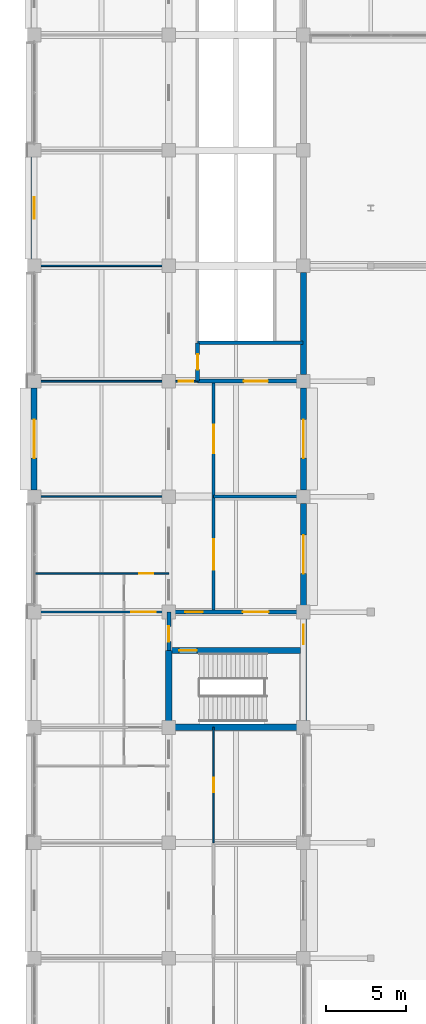
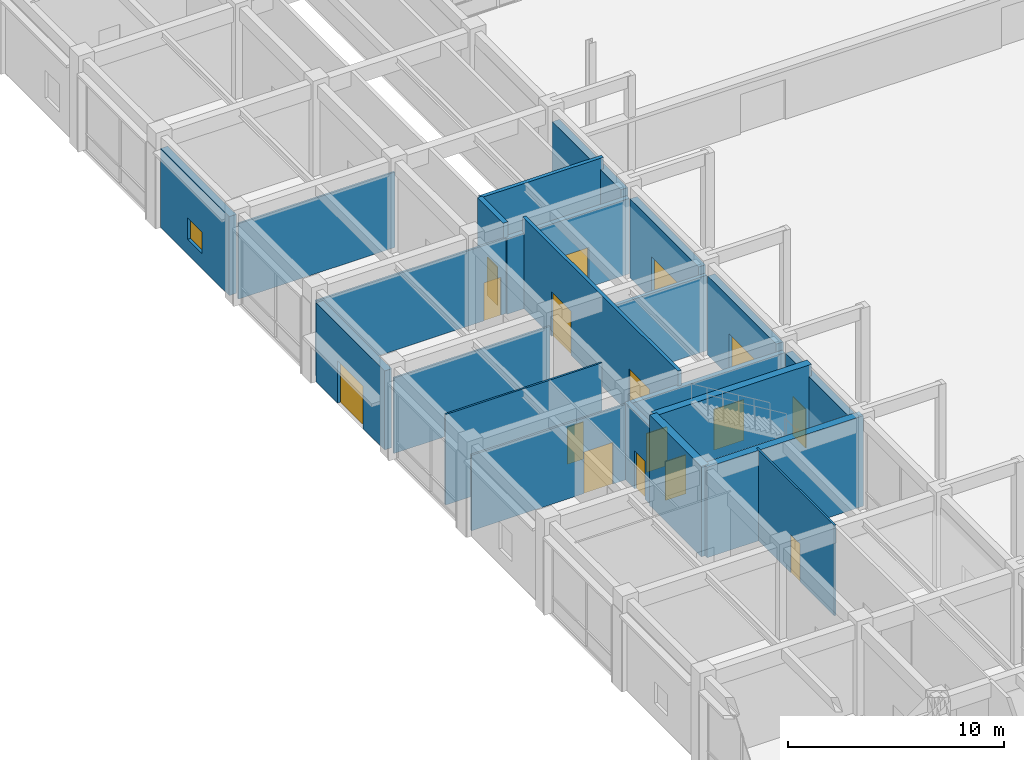
# One storey, part 39 of 73: 22 walls, 16 doors, 1 window, 17 openings.
"""IFC4 building model written with IfcOpenShell, lengths in metres."""

from ifc_helpers import new_model, si_unit, direction, frame, frame_2d, origin, place, context, subcontext, project, spatial, rectangle, extrude, material, layer, layer_set, type_object, element, fill, save


model = new_model("IFC4")

# Units and contexts
model_context = context("Model", 3, precision=1e-05, world=origin(), true_north=direction((0.0, 1.0)))
body_context = subcontext(model_context, "Body", "Model", "MODEL_VIEW")
ifc_project = project(units=[si_unit("LENGTHUNIT", "METRE"), si_unit("AREAUNIT", "SQUARE_METRE"), si_unit("VOLUMEUNIT", "CUBIC_METRE"), si_unit("PLANEANGLEUNIT", "RADIAN"), si_unit("MASSUNIT", "GRAM", prefix="KILO")], contexts=[model_context])

# Site, building, storey
site_placement = place(None, origin())
site = spatial("IfcSite", under=ifc_project, at=site_placement, CompositionType="ELEMENT")
building_placement = place(site_placement, origin())
building = spatial("IfcBuilding", under=site, at=building_placement, Name="Chengyuan Square Courthouse", CompositionType="ELEMENT")
storey_placement = place(building_placement, origin())
storey = spatial("IfcBuildingStorey", under=building, at=storey_placement, Name="L01", CompositionType="ELEMENT", Elevation=0.0)

# Wall, opening, door
ifc_material_1 = material(Name="Concrete C40", Category="concrete")
ifc_layer_1 = layer(ifc_material_1, 0.3798828125)
ifc_layer_set_1 = layer_set([ifc_layer_1], Name="Concrete C40")
wall_type_1 = type_object("IfcWallType", Name="WL-EW1", PredefinedType="STANDARD", material=ifc_layer_set_1)
wall_1_placement = place(storey_placement, frame((0.0, 50.820068359375, 0.0), z_axis=(0.0, 0.0, 1.0), x_axis=(0.0, 1.0, 0.0)))
wall_1 = element("IfcWall", 1, at=wall_1_placement, inside=storey, type_object=wall_type_1, Name="Exterior Wall WL-L01-E148", PredefinedType="STANDARD", context=body_context, shape_type="SweptSolid", body=[
    extrude(rectangle(XDim=6.35986328125, YDim=0.3798828125, at=frame_2d((3.179931640625, 0.0))), origin(), (0.0, 0.0, 1.0), 4.469970703125),
])
opening_1_placement = place(wall_1_placement, frame((1.97998046875, 0.0, 0.0)))
opening_1 = element("IfcOpeningElement", 2, at=opening_1_placement, cuts=wall_1, Name="Opening E-18", PredefinedType="OPENING", context=body_context, shape_type="SweptSolid", body=[
    extrude(rectangle(XDim=2.39990234375, YDim=2.39990234375, at=frame_2d((1.199951171875, 1.199951171875))), frame((0.0, 0.201904296875, 0.0), z_axis=(0.0, -1.0, 0.0), x_axis=(1.0, 0.0, 0.0)), (0.0, 0.0, 1.0), 0.40380859375),
])
ifc_material_2 = material(Name="Glazed Bronze Civic Entrance Door")
door_type_1 = type_object("IfcDoorType", Name="DT-01", OperationType="DOUBLE_DOOR_SINGLE_SWING", PredefinedType="DOOR", material=ifc_material_2)
door_1_placement = place(opening_1_placement, origin())
door_1 = element("IfcDoor", 3, at=door_1_placement, inside=storey, type_object=door_type_1, Name="Main Pedestrian Entrance Exit Door E-18", OperationType="DOUBLE_DOOR_SINGLE_SWING", OverallHeight=2.39990234375, OverallWidth=2.39990234375, PredefinedType="DOOR", context=body_context, shape_type="SweptSolid", body=[
    extrude(rectangle(XDim=2.39990234375, YDim=2.39990234375, at=frame_2d((1.199951171875, 1.199951171875))), frame((0.0, 0.02490234375, 0.0), z_axis=(0.0, -1.0, 0.0), x_axis=(1.0, 0.0, 0.0)), (0.0, 0.0, 1.0), 0.050048828125),
])
fill(opening_1, door_1)

# Wall, opening, window
wall_2_placement = place(storey_placement, frame((0.0, 65.219970703125, 0.0), z_axis=(0.0, 0.0, 1.0), x_axis=(0.0, 1.0, 0.0)))
wall_2 = element("IfcWall", 4, at=wall_2_placement, inside=storey, type_object=wall_type_1, Name="Exterior Wall WL-L01-E149", PredefinedType="STANDARD", context=body_context, shape_type="SweptSolid", body=[
    extrude(rectangle(XDim=6.360107421875, YDim=0.3798828125, at=frame_2d((3.18017578125, 0.0))), origin(), (0.0, 0.0, 1.0), 4.469970703125),
])
opening_2_placement = place(wall_2_placement, frame((2.5048828125, 0.0, 0.85009765625)))
opening_2 = element("IfcOpeningElement", 5, at=opening_2_placement, cuts=wall_2, Name="Opening WN-003", PredefinedType="OPENING", context=body_context, shape_type="SweptSolid", body=[
    extrude(rectangle(XDim=1.35009765625, YDim=1.199951171875, at=frame_2d((0.675048828125, 0.60009765625))), frame((0.0, 0.201904296875, 0.0), z_axis=(0.0, -1.0, 0.0), x_axis=(1.0, 0.0, 0.0)), (0.0, 0.0, 1.0), 0.40380859375),
])
ifc_material_3 = material(Name="Thermally Broken Aluminium Triple Low-E Window", Category="aluminium")
window_type = type_object("IfcWindowType", Name="WT-19", PartitioningType="SINGLE_PANEL", PredefinedType="WINDOW", material=ifc_material_3)
window_placement = place(opening_2_placement, origin())
window = element("IfcWindow", 6, at=window_placement, inside=storey, type_object=window_type, Name="Facade Window WN-003", OverallHeight=1.199951171875, OverallWidth=1.35009765625, PartitioningType="SINGLE_PANEL", PredefinedType="WINDOW", context=body_context, shape_type="SweptSolid", body=[
    extrude(rectangle(XDim=1.35009765625, YDim=1.199951171875, at=frame_2d((0.675048828125, 0.60009765625))), frame((0.0, 0.030029296875, 0.0), z_axis=(0.0, -1.0, 0.0), x_axis=(1.0, 0.0, 0.0)), (0.0, 0.0, 1.0), 0.06005859375),
])
fill(opening_2, window)

# Wall, opening, door
wall_3_placement = place(storey_placement, frame((16.800048828125, 36.419921875, 0.0), z_axis=(0.0, 0.0, 1.0), x_axis=(0.0, 1.0, 0.0)))
wall_3 = element("IfcWall", 7, at=wall_3_placement, inside=storey, type_object=wall_type_1, Name="Exterior Wall WL-L01-E155", PredefinedType="STANDARD", context=body_context, shape_type="SweptSolid", body=[
    extrude(rectangle(XDim=6.360107421875, YDim=0.3798828125, at=frame_2d((3.18017578125, 0.0))), origin(), (0.0, 0.0, 1.0), 4.469970703125),
])
opening_3_placement = place(wall_3_placement, frame((4.780029296875, 0.0, 0.0)))
opening_3 = element("IfcOpeningElement", 8, at=opening_3_placement, cuts=wall_3, Name="Opening E-21", PredefinedType="OPENING", context=body_context, shape_type="SweptSolid", body=[
    extrude(rectangle(XDim=1.199951171875, YDim=2.199951171875, at=frame_2d((0.60009765625, 1.10009765625))), frame((0.0, 0.201904296875, 0.0), z_axis=(0.0, -1.0, 0.0), x_axis=(1.0, 0.0, 0.0)), (0.0, 0.0, 1.0), 0.40380859375),
])
ifc_material_4 = material(Name="Steel Q235B Fire Exit Door", Category="steel")
door_type_2 = type_object("IfcDoorType", Name="DT-03", OperationType="NOTDEFINED", PredefinedType="DOOR", material=ifc_material_4)
door_2_placement = place(opening_3_placement, frame((1.199951171875, 0.0, 0.0), z_axis=(0.0, 0.0, 1.0), x_axis=(-1.0, 0.0, 0.0)))
door_2 = element("IfcDoor", 9, at=door_2_placement, inside=storey, type_object=door_type_2, Name="Protected Stair Exit Discharge Door E-21", OperationType="SINGLE_SWING_RIGHT", OverallHeight=2.199951171875, OverallWidth=1.199951171875, PredefinedType="DOOR", context=body_context, shape_type="SweptSolid", body=[
    extrude(rectangle(XDim=1.199951171875, YDim=2.199951171875, at=frame_2d((0.60009765625, 1.10009765625))), frame((0.0, 0.02490234375, 0.0), z_axis=(0.0, -1.0, 0.0), x_axis=(1.0, 0.0, 0.0)), (0.0, 0.0, 1.0), 0.050048828125),
])
fill(opening_3, door_2)

wall_4_placement = place(storey_placement, frame((16.800048828125, 43.6201171875, 0.0), z_axis=(0.0, 0.0, 1.0), x_axis=(0.0, 1.0, 0.0)))
wall_4 = element("IfcWall", 10, at=wall_4_placement, inside=storey, type_object=wall_type_1, Name="Exterior Wall WL-L01-E156", PredefinedType="STANDARD", context=body_context, shape_type="SweptSolid", body=[
    extrude(rectangle(XDim=6.35986328125, YDim=0.3798828125, at=frame_2d((3.179931640625, 0.0))), origin(), (0.0, 0.0, 1.0), 4.469970703125),
])
opening_4_placement = place(wall_4_placement, frame((1.97998046875, 0.0, 0.0)))
opening_4 = element("IfcOpeningElement", 11, at=opening_4_placement, cuts=wall_4, Name="Opening E-03", PredefinedType="OPENING", context=body_context, shape_type="SweptSolid", body=[
    extrude(rectangle(XDim=2.39990234375, YDim=2.39990234375, at=frame_2d((1.199951171875, 1.199951171875))), frame((0.0, 0.201904296875, 0.0), z_axis=(0.0, -1.0, 0.0), x_axis=(1.0, 0.0, 0.0)), (0.0, 0.0, 1.0), 0.40380859375),
])
door_3_placement = place(opening_4_placement, frame((2.39990234375, 0.0, 0.0), z_axis=(0.0, 0.0, 1.0), x_axis=(-1.0, 0.0, 0.0)))
door_3 = element("IfcDoor", 12, at=door_3_placement, inside=storey, type_object=door_type_1, Name="Main Pedestrian Entrance Exit Door E-03", OperationType="DOUBLE_DOOR_SINGLE_SWING", OverallHeight=2.39990234375, OverallWidth=2.39990234375, PredefinedType="DOOR", context=body_context, shape_type="SweptSolid", body=[
    extrude(rectangle(XDim=2.39990234375, YDim=2.39990234375, at=frame_2d((1.199951171875, 1.199951171875))), frame((0.0, 0.02490234375, 0.0), z_axis=(0.0, -1.0, 0.0), x_axis=(1.0, 0.0, 0.0)), (0.0, 0.0, 1.0), 0.050048828125),
])
fill(opening_4, door_3)

wall_5_placement = place(storey_placement, frame((16.800048828125, 50.820068359375, 0.0), z_axis=(0.0, 0.0, 1.0), x_axis=(0.0, 1.0, 0.0)))
wall_5 = element("IfcWall", 13, at=wall_5_placement, inside=storey, type_object=wall_type_1, Name="Exterior Wall WL-L01-E157", PredefinedType="STANDARD", context=body_context, shape_type="SweptSolid", body=[
    extrude(rectangle(XDim=6.35986328125, YDim=0.3798828125, at=frame_2d((3.179931640625, 0.0))), origin(), (0.0, 0.0, 1.0), 4.469970703125),
])
opening_5_placement = place(wall_5_placement, frame((1.97998046875, 0.0, 0.0)))
opening_5 = element("IfcOpeningElement", 14, at=opening_5_placement, cuts=wall_5, Name="Opening E-04", PredefinedType="OPENING", context=body_context, shape_type="SweptSolid", body=[
    extrude(rectangle(XDim=2.39990234375, YDim=2.39990234375, at=frame_2d((1.199951171875, 1.199951171875))), frame((0.0, 0.201904296875, 0.0), z_axis=(0.0, -1.0, 0.0), x_axis=(1.0, 0.0, 0.0)), (0.0, 0.0, 1.0), 0.40380859375),
])
door_4_placement = place(opening_5_placement, frame((2.39990234375, 0.0, 0.0), z_axis=(0.0, 0.0, 1.0), x_axis=(-1.0, 0.0, 0.0)))
door_4 = element("IfcDoor", 15, at=door_4_placement, inside=storey, type_object=door_type_1, Name="Main Pedestrian Entrance Exit Door E-04", OperationType="DOUBLE_DOOR_SINGLE_SWING", OverallHeight=2.39990234375, OverallWidth=2.39990234375, PredefinedType="DOOR", context=body_context, shape_type="SweptSolid", body=[
    extrude(rectangle(XDim=2.39990234375, YDim=2.39990234375, at=frame_2d((1.199951171875, 1.199951171875))), frame((0.0, 0.02490234375, 0.0), z_axis=(0.0, -1.0, 0.0), x_axis=(1.0, 0.0, 0.0)), (0.0, 0.0, 1.0), 0.050048828125),
])
fill(opening_5, door_4)

# Wall
wall_6_placement = place(storey_placement, frame((16.800048828125, 58.02001953125, 0.0), z_axis=(0.0, 0.0, 1.0), x_axis=(0.0, 1.0, 0.0)))
element("IfcWall", 16, at=wall_6_placement, inside=storey, type_object=wall_type_1, Name="Exterior Wall WL-L01-E158", PredefinedType="STANDARD", context=body_context, shape_type="SweptSolid", body=[
    extrude(rectangle(XDim=6.35986328125, YDim=0.3798828125, at=frame_2d((3.179931640625, 0.0))), origin(), (0.0, 0.0, 1.0), 4.469970703125),
])

# Wall, openings, doors
ifc_layer_2 = layer(ifc_material_1, 0.25)
ifc_layer_set_2 = layer_set([ifc_layer_2], Name="Concrete C40")
wall_type_2 = type_object("IfcWallType", Name="WL-FW1", PredefinedType="STANDARD", material=ifc_layer_set_2)
wall_7_placement = place(storey_placement, frame((8.39990234375, 43.199951171875, 0.0), z_axis=(0.0, 0.0, 1.0), x_axis=(1.0, 0.0, 0.0)))
wall_7 = element("IfcWall", 17, at=wall_7_placement, inside=storey, type_object=wall_type_2, Name="Interior Wall WL-L01-I647", PredefinedType="STANDARD", context=body_context, shape_type="SweptSolid", body=[
    extrude(rectangle(XDim=8.360107421875, YDim=0.25, at=frame_2d((4.18017578125, 0.0))), origin(), (0.0, 0.0, 1.0), 4.27001953125),
])
opening_6_placement = place(wall_7_placement, frame((1.0224609375, 0.0, 0.0)))
opening_6 = element("IfcOpeningElement", 18, at=opening_6_placement, cuts=wall_7, Name="Opening DR-686", PredefinedType="OPENING", context=body_context, shape_type="SweptSolid", body=[
    extrude(rectangle(XDim=1.10009765625, YDim=2.199951171875, at=frame_2d((0.550048828125, 1.10009765625))), frame((0.0, 0.136962890625, 0.0), z_axis=(0.0, -1.0, 0.0), x_axis=(1.0, 0.0, 0.0)), (0.0, 0.0, 1.0), 0.27392578125),
])
opening_7_placement = place(wall_7_placement, frame((4.62744140625, 0.0, 0.0)))
opening_7 = element("IfcOpeningElement", 19, at=opening_7_placement, cuts=wall_7, Name="Opening DR-687", PredefinedType="OPENING", context=body_context, shape_type="SweptSolid", body=[
    extrude(rectangle(XDim=1.60009765625, YDim=2.300048828125, at=frame_2d((0.800048828125, 1.14990234375))), frame((0.0, 0.136962890625, 0.0), z_axis=(0.0, -1.0, 0.0), x_axis=(1.0, 0.0, 0.0)), (0.0, 0.0, 1.0), 0.27392578125),
])
ifc_material_5 = material(Name="Steel Q235B Fire Door", Category="steel")
door_type_3 = type_object("IfcDoorType", Name="DT-10", OperationType="NOTDEFINED", PredefinedType="DOOR", material=ifc_material_5)
door_5_placement = place(opening_6_placement, origin())
door_5 = element("IfcDoor", 20, at=door_5_placement, inside=storey, type_object=door_type_3, Name="Interior Door DR-686", OperationType="SINGLE_SWING_LEFT", OverallHeight=2.199951171875, OverallWidth=1.10009765625, PredefinedType="DOOR", context=body_context, shape_type="SweptSolid", body=[
    extrude(rectangle(XDim=1.10009765625, YDim=2.199951171875, at=frame_2d((0.550048828125, 1.10009765625))), frame((0.0, 0.02490234375, 0.0), z_axis=(0.0, -1.0, 0.0), x_axis=(1.0, 0.0, 0.0)), (0.0, 0.0, 1.0), 0.050048828125),
])
fill(opening_6, door_5)
ifc_material_6 = material(Name="Steel Q235B Glazed Fire Door", Category="steel")
door_type_4 = type_object("IfcDoorType", Name="DT-17", OperationType="DOUBLE_DOOR_SINGLE_SWING", PredefinedType="DOOR", material=ifc_material_6)
door_6_placement = place(opening_7_placement, frame((1.60009765625, 0.0, 0.0), z_axis=(0.0, 0.0, 1.0), x_axis=(-1.0, 0.0, 0.0)))
door_6 = element("IfcDoor", 21, at=door_6_placement, inside=storey, type_object=door_type_4, Name="Interior Door DR-687", OperationType="DOUBLE_DOOR_SINGLE_SWING", OverallHeight=2.300048828125, OverallWidth=1.60009765625, PredefinedType="DOOR", context=body_context, shape_type="SweptSolid", body=[
    extrude(rectangle(XDim=1.60009765625, YDim=2.300048828125, at=frame_2d((0.800048828125, 1.14990234375))), frame((0.0, 0.02490234375, 0.0), z_axis=(0.0, -1.0, 0.0), x_axis=(1.0, 0.0, 0.0)), (0.0, 0.0, 1.0), 0.050048828125),
])
fill(opening_7, door_6)

# Wall, opening, door
wall_8_placement = place(storey_placement, frame((10.199951171875, 57.60009765625, 0.0), z_axis=(0.0, 0.0, 1.0), x_axis=(1.0, 0.0, 0.0)))
wall_8 = element("IfcWall", 22, at=wall_8_placement, inside=storey, type_object=wall_type_2, Name="Interior Wall WL-L01-I657", PredefinedType="STANDARD", context=body_context, shape_type="SweptSolid", body=[
    extrude(rectangle(XDim=6.56005859375, YDim=0.25, at=frame_2d((3.280029296875, 0.0))), origin(), (0.0, 0.0, 1.0), 4.27001953125),
])
opening_8_placement = place(wall_8_placement, frame((2.87744140625, 0.0, 0.0)))
opening_8 = element("IfcOpeningElement", 23, at=opening_8_placement, cuts=wall_8, Name="Opening DR-709", PredefinedType="OPENING", context=body_context, shape_type="SweptSolid", body=[
    extrude(rectangle(XDim=1.5, YDim=2.25, at=frame_2d((0.75, 1.125))), frame((0.0, 0.136962890625, 0.0), z_axis=(0.0, -1.0, 0.0), x_axis=(1.0, 0.0, 0.0)), (0.0, 0.0, 1.0), 0.27392578125),
])
door_type_5 = type_object("IfcDoorType", Name="DT-19", OperationType="DOUBLE_DOOR_SINGLE_SWING", PredefinedType="DOOR", material=ifc_material_6)
door_7_placement = place(opening_8_placement, frame((1.5, 0.0, 0.0), z_axis=(0.0, 0.0, 1.0), x_axis=(-1.0, 0.0, 0.0)))
door_7 = element("IfcDoor", 24, at=door_7_placement, inside=storey, type_object=door_type_5, Name="Interior Door DR-709", OperationType="DOUBLE_DOOR_SINGLE_SWING", OverallHeight=2.25, OverallWidth=1.5, PredefinedType="DOOR", context=body_context, shape_type="SweptSolid", body=[
    extrude(rectangle(XDim=1.5, YDim=2.25, at=frame_2d((0.75, 1.125))), frame((0.0, 0.02490234375, 0.0), z_axis=(0.0, -1.0, 0.0), x_axis=(1.0, 0.0, 0.0)), (0.0, 0.0, 1.0), 0.050048828125),
])
fill(opening_8, door_7)

wall_9_placement = place(storey_placement, frame((8.39990234375, 40.800048828125, 0.0), z_axis=(0.0, 0.0, 1.0), x_axis=(0.0, 1.0, 0.0)))
wall_9 = element("IfcWall", 25, at=wall_9_placement, inside=storey, type_object=wall_type_2, Name="Interior Wall WL-L01-I827", PredefinedType="STANDARD", context=body_context, shape_type="SweptSolid", body=[
    extrude(rectangle(XDim=2.39990234375, YDim=0.25, at=frame_2d((1.199951171875, 0.0))), origin(), (0.0, 0.0, 1.0), 4.3701171875),
])
opening_9_placement = place(wall_9_placement, frame((0.552490234375, 0.0, 0.0)))
opening_9 = element("IfcOpeningElement", 26, at=opening_9_placement, cuts=wall_9, Name="Opening DR-688", PredefinedType="OPENING", context=body_context, shape_type="SweptSolid", body=[
    extrude(rectangle(XDim=0.949951171875, YDim=2.14990234375, at=frame_2d((0.47509765625, 1.074951171875))), frame((0.0, 0.136962890625, 0.0), z_axis=(0.0, -1.0, 0.0), x_axis=(1.0, 0.0, 0.0)), (0.0, 0.0, 1.0), 0.27392578125),
])
door_type_6 = type_object("IfcDoorType", Name="DT-12", OperationType="NOTDEFINED", PredefinedType="DOOR", material=ifc_material_5)
door_8_placement = place(opening_9_placement, origin())
door_8 = element("IfcDoor", 27, at=door_8_placement, inside=storey, type_object=door_type_6, Name="Interior Door DR-688", OperationType="SINGLE_SWING_RIGHT", OverallHeight=2.14990234375, OverallWidth=0.949951171875, PredefinedType="DOOR", context=body_context, shape_type="SweptSolid", body=[
    extrude(rectangle(XDim=0.949951171875, YDim=2.14990234375, at=frame_2d((0.47509765625, 1.074951171875))), frame((0.0, 0.02490234375, 0.0), z_axis=(0.0, -1.0, 0.0), x_axis=(1.0, 0.0, 0.0)), (0.0, 0.0, 1.0), 0.050048828125),
])
fill(opening_9, door_8)

wall_10_placement = place(storey_placement, frame((10.199951171875, 57.60009765625, 0.0), z_axis=(0.0, 0.0, 1.0), x_axis=(0.0, 1.0, 0.0)))
wall_10 = element("IfcWall", 28, at=wall_10_placement, inside=storey, type_object=wall_type_2, Name="Interior Wall WL-L01-I831", PredefinedType="STANDARD", context=body_context, shape_type="SweptSolid", body=[
    extrude(rectangle(XDim=2.39990234375, YDim=0.25, at=frame_2d((1.199951171875, 0.0))), origin(), (0.0, 0.0, 1.0), 5.1201171875),
])
opening_10_placement = place(wall_10_placement, frame((0.72509765625, 0.0, 0.0)))
opening_10 = element("IfcOpeningElement", 29, at=opening_10_placement, cuts=wall_10, Name="Opening DR-697", PredefinedType="OPENING", context=body_context, shape_type="SweptSolid", body=[
    extrude(rectangle(XDim=0.949951171875, YDim=2.14990234375, at=frame_2d((0.47509765625, 1.074951171875))), frame((0.0, 0.136962890625, 0.0), z_axis=(0.0, -1.0, 0.0), x_axis=(1.0, 0.0, 0.0)), (0.0, 0.0, 1.0), 0.27392578125),
])
door_9_placement = place(opening_10_placement, origin())
door_9 = element("IfcDoor", 30, at=door_9_placement, inside=storey, type_object=door_type_6, Name="Interior Door DR-697", OperationType="SINGLE_SWING_RIGHT", OverallHeight=2.14990234375, OverallWidth=0.949951171875, PredefinedType="DOOR", context=body_context, shape_type="SweptSolid", body=[
    extrude(rectangle(XDim=0.949951171875, YDim=2.14990234375, at=frame_2d((0.47509765625, 1.074951171875))), frame((0.0, 0.02490234375, 0.0), z_axis=(0.0, -1.0, 0.0), x_axis=(1.0, 0.0, 0.0)), (0.0, 0.0, 1.0), 0.050048828125),
])
fill(opening_10, door_9)

# Wall
ifc_material_7 = material(Name="Double-Stud Acoustic Gypsum Courtroom Partition")
ifc_layer_3 = layer(ifc_material_7, 0.179931640625)
ifc_layer_set_3 = layer_set([ifc_layer_3], Name="Double-Stud Acoustic Gypsum Courtroom Partition")
wall_type_3 = type_object("IfcWallType", Name="WL-PT1", PredefinedType="STANDARD", material=ifc_layer_set_3)
wall_11_placement = place(storey_placement, frame((11.199951171875, 50.39990234375, 0.0), z_axis=(0.0, 0.0, 1.0), x_axis=(1.0, 0.0, 0.0)))
element("IfcWall", 31, at=wall_11_placement, inside=storey, type_object=wall_type_3, Name="Interior Wall WL-L01-I653", PredefinedType="STANDARD", context=body_context, shape_type="SweptSolid", body=[
    extrude(rectangle(XDim=5.56005859375, YDim=0.179931640625, at=frame_2d((2.780029296875, 0.0))), origin(), (0.0, 0.0, 1.0), 4.27001953125),
])

# Wall, openings, doors
wall_12_placement = place(storey_placement, frame((11.199951171875, 43.199951171875, 0.0), z_axis=(0.0, 0.0, 1.0), x_axis=(0.0, 1.0, 0.0)))
wall_12 = element("IfcWall", 32, at=wall_12_placement, inside=storey, type_object=wall_type_3, Name="Interior Wall WL-L01-I838", PredefinedType="STANDARD", context=body_context, shape_type="SweptSolid", body=[
    extrude(rectangle(XDim=14.400146484375, YDim=0.179931640625, at=frame_2d((7.2001953125, 0.0))), origin(), (0.0, 0.0, 1.0), 5.1201171875),
])
opening_11_placement = place(wall_12_placement, frame((2.64990234375, 0.0, 0.0)))
opening_11 = element("IfcOpeningElement", 33, at=opening_11_placement, cuts=wall_12, Name="Opening DR-958", PredefinedType="OPENING", context=body_context, shape_type="SweptSolid", body=[
    extrude(rectangle(XDim=1.89990234375, YDim=2.5, at=frame_2d((0.949951171875, 1.25))), frame((0.0, 0.10205078125, 0.0), z_axis=(0.0, -1.0, 0.0), x_axis=(1.0, 0.0, 0.0)), (0.0, 0.0, 1.0), 0.203857421875),
])
opening_12_placement = place(wall_12_placement, frame((9.89990234375, 0.0, 0.0)))
opening_12 = element("IfcOpeningElement", 34, at=opening_12_placement, cuts=wall_12, Name="Opening DR-959", PredefinedType="OPENING", context=body_context, shape_type="SweptSolid", body=[
    extrude(rectangle(XDim=1.800048828125, YDim=2.5, at=frame_2d((0.89990234375, 1.25))), frame((0.0, 0.10205078125, 0.0), z_axis=(0.0, -1.0, 0.0), x_axis=(1.0, 0.0, 0.0)), (0.0, 0.0, 1.0), 0.203857421875),
])
ifc_material_8 = material(Name="Acoustic Larch Veneer Double Door")
door_type_7 = type_object("IfcDoorType", Name="DT-21", OperationType="DOUBLE_DOOR_SINGLE_SWING", PredefinedType="DOOR", material=ifc_material_8)
door_10_placement = place(opening_12_placement, frame((1.800048828125, 0.0, 0.0), z_axis=(0.0, 0.0, 1.0), x_axis=(-1.0, 0.0, 0.0)))
door_10 = element("IfcDoor", 35, at=door_10_placement, inside=storey, type_object=door_type_7, Name="Interior Door DR-959", OperationType="DOUBLE_DOOR_SINGLE_SWING", OverallHeight=2.5, OverallWidth=1.800048828125, PredefinedType="DOOR", context=body_context, shape_type="SweptSolid", body=[
    extrude(rectangle(XDim=1.800048828125, YDim=2.5, at=frame_2d((0.89990234375, 1.25))), frame((0.0, 0.02490234375, 0.0), z_axis=(0.0, -1.0, 0.0), x_axis=(1.0, 0.0, 0.0)), (0.0, 0.0, 1.0), 0.050048828125),
])
fill(opening_12, door_10)
door_type_8 = type_object("IfcDoorType", Name="DT-26", OperationType="DOUBLE_DOOR_SINGLE_SWING", PredefinedType="DOOR", material=ifc_material_8)
door_11_placement = place(opening_11_placement, frame((1.89990234375, 0.0, 0.0), z_axis=(0.0, 0.0, 1.0), x_axis=(-1.0, 0.0, 0.0)))
door_11 = element("IfcDoor", 36, at=door_11_placement, inside=storey, type_object=door_type_8, Name="Interior Door DR-958", OperationType="DOUBLE_DOOR_SINGLE_SWING", OverallHeight=2.5, OverallWidth=1.89990234375, PredefinedType="DOOR", context=body_context, shape_type="SweptSolid", body=[
    extrude(rectangle(XDim=1.89990234375, YDim=2.5, at=frame_2d((0.949951171875, 1.25))), frame((0.0, 0.02490234375, 0.0), z_axis=(0.0, -1.0, 0.0), x_axis=(1.0, 0.0, 0.0)), (0.0, 0.0, 1.0), 0.050048828125),
])
fill(opening_11, door_11)

# Wall, opening, door
ifc_material_9 = material(Name="Gypsum Plasterboard Acoustic Stud Partition")
ifc_layer_4 = layer(ifc_material_9, 0.10009765625)
ifc_layer_set_4 = layer_set([ifc_layer_4], Name="Gypsum Plasterboard Acoustic Stud Partition")
wall_type_4 = type_object("IfcWallType", Name="WL-PT6", PredefinedType="STANDARD", material=ifc_layer_set_4)
wall_13_placement = place(storey_placement, frame((0.0400390625, 43.199951171875, 0.0), z_axis=(0.0, 0.0, 1.0), x_axis=(1.0, 0.0, 0.0)))
wall_13 = element("IfcWall", 37, at=wall_13_placement, inside=storey, type_object=wall_type_4, Name="Interior Wall WL-L01-I646", PredefinedType="STANDARD", context=body_context, shape_type="SweptSolid", body=[
    extrude(rectangle(XDim=8.35986328125, YDim=0.10009765625, at=frame_2d((4.179931640625, 0.0))), origin(), (0.0, 0.0, 1.0), 4.27001953125),
])
opening_13_placement = place(wall_13_placement, frame((6.012451171875, 0.0, 0.0)))
opening_13 = element("IfcOpeningElement", 38, at=opening_13_placement, cuts=wall_13, Name="Opening DR-967", PredefinedType="OPENING", context=body_context, shape_type="SweptSolid", body=[
    extrude(rectangle(XDim=1.550048828125, YDim=2.35009765625, at=frame_2d((0.77490234375, 1.175048828125))), frame((0.0, 0.06201171875, 0.0), z_axis=(0.0, -1.0, 0.0), x_axis=(1.0, 0.0, 0.0)), (0.0, 0.0, 1.0), 0.1240234375),
])
door_type_9 = type_object("IfcDoorType", Name="DT-23", OperationType="DOUBLE_DOOR_SINGLE_SWING", PredefinedType="DOOR", material=ifc_material_8)
door_12_placement = place(opening_13_placement, frame((1.550048828125, 0.0, 0.0), z_axis=(0.0, 0.0, 1.0), x_axis=(-1.0, 0.0, 0.0)))
door_12 = element("IfcDoor", 39, at=door_12_placement, inside=storey, type_object=door_type_9, Name="Interior Door DR-967", OperationType="DOUBLE_DOOR_SINGLE_SWING", OverallHeight=2.35009765625, OverallWidth=1.550048828125, PredefinedType="DOOR", context=body_context, shape_type="SweptSolid", body=[
    extrude(rectangle(XDim=1.550048828125, YDim=2.35009765625, at=frame_2d((0.77490234375, 1.175048828125))), frame((0.0, 0.02490234375, 0.0), z_axis=(0.0, -1.0, 0.0), x_axis=(1.0, 0.0, 0.0)), (0.0, 0.0, 1.0), 0.050048828125),
])
fill(opening_13, door_12)

wall_14_placement = place(storey_placement, frame((0.0400390625, 45.60009765625, 0.0), z_axis=(0.0, 0.0, 1.0), x_axis=(1.0, 0.0, 0.0)))
wall_14 = element("IfcWall", 40, at=wall_14_placement, inside=storey, type_object=wall_type_4, Name="Interior Wall WL-L01-I650", PredefinedType="STANDARD", context=body_context, shape_type="SweptSolid", body=[
    extrude(rectangle(XDim=8.35986328125, YDim=0.10009765625, at=frame_2d((4.179931640625, 0.0))), origin(), (0.0, 0.0, 1.0), 5.1201171875),
])
opening_14_placement = place(wall_14_placement, frame((6.530029296875, 0.0, 0.0)))
opening_14 = element("IfcOpeningElement", 41, at=opening_14_placement, cuts=wall_14, Name="Opening DR-969", PredefinedType="OPENING", context=body_context, shape_type="SweptSolid", body=[
    extrude(rectangle(XDim=0.860107421875, YDim=2.10009765625, at=frame_2d((0.43017578125, 1.050048828125))), frame((0.0, 0.06201171875, 0.0), z_axis=(0.0, -1.0, 0.0), x_axis=(1.0, 0.0, 0.0)), (0.0, 0.0, 1.0), 0.1240234375),
])
ifc_material_10 = material(Name="Acoustic Solid-Core Timber Door", Category="wood")
door_type_10 = type_object("IfcDoorType", Name="DT-28", OperationType="NOTDEFINED", PredefinedType="DOOR", material=ifc_material_10)
door_13_placement = place(opening_14_placement, origin())
door_13 = element("IfcDoor", 42, at=door_13_placement, inside=storey, type_object=door_type_10, Name="Interior Door DR-969", OperationType="SINGLE_SWING_LEFT", OverallHeight=2.10009765625, OverallWidth=0.860107421875, PredefinedType="DOOR", context=body_context, shape_type="SweptSolid", body=[
    extrude(rectangle(XDim=0.860107421875, YDim=2.10009765625, at=frame_2d((0.43017578125, 1.050048828125))), frame((0.0, 0.02490234375, 0.0), z_axis=(0.0, -1.0, 0.0), x_axis=(1.0, 0.0, 0.0)), (0.0, 0.0, 1.0), 0.050048828125),
])
fill(opening_14, door_13)

# Wall
wall_15_placement = place(storey_placement, frame((0.0400390625, 50.39990234375, 0.0), z_axis=(0.0, 0.0, 1.0), x_axis=(1.0, 0.0, 0.0)))
element("IfcWall", 43, at=wall_15_placement, inside=storey, type_object=wall_type_4, Name="Interior Wall WL-L01-I652", PredefinedType="STANDARD", context=body_context, shape_type="SweptSolid", body=[
    extrude(rectangle(XDim=8.35986328125, YDim=0.10009765625, at=frame_2d((4.179931640625, 0.0))), origin(), (0.0, 0.0, 1.0), 4.27001953125),
])

# Wall, opening, door
wall_16_placement = place(storey_placement, frame((0.0400390625, 57.60009765625, 0.0), z_axis=(0.0, 0.0, 1.0), x_axis=(1.0, 0.0, 0.0)))
wall_16 = element("IfcWall", 44, at=wall_16_placement, inside=storey, type_object=wall_type_4, Name="Interior Wall WL-L01-I656", PredefinedType="STANDARD", context=body_context, shape_type="SweptSolid", body=[
    extrude(rectangle(XDim=10.159912109375, YDim=0.10009765625, at=frame_2d((5.080078125, 0.0))), origin(), (0.0, 0.0, 1.0), 4.27001953125),
])
opening_15_placement = place(wall_16_placement, frame((8.982421875, 0.0, 0.0)))
opening_15 = element("IfcOpeningElement", 45, at=opening_15_placement, cuts=wall_16, Name="Opening DR-705", PredefinedType="OPENING", context=body_context, shape_type="SweptSolid", body=[
    extrude(rectangle(XDim=0.89990234375, YDim=2.14990234375, at=frame_2d((0.449951171875, 1.074951171875))), frame((0.0, 0.06201171875, 0.0), z_axis=(0.0, -1.0, 0.0), x_axis=(1.0, 0.0, 0.0)), (0.0, 0.0, 1.0), 0.1240234375),
])
door_type_11 = type_object("IfcDoorType", Name="DT-27", OperationType="NOTDEFINED", PredefinedType="DOOR", material=ifc_material_10)
door_14_placement = place(opening_15_placement, origin())
door_14 = element("IfcDoor", 46, at=door_14_placement, inside=storey, type_object=door_type_11, Name="Interior Door DR-705", OperationType="SINGLE_SWING_RIGHT", OverallHeight=2.14990234375, OverallWidth=0.89990234375, PredefinedType="DOOR", context=body_context, shape_type="SweptSolid", body=[
    extrude(rectangle(XDim=0.89990234375, YDim=2.14990234375, at=frame_2d((0.449951171875, 1.074951171875))), frame((0.0, 0.02490234375, 0.0), z_axis=(0.0, -1.0, 0.0), x_axis=(1.0, 0.0, 0.0)), (0.0, 0.0, 1.0), 0.050048828125),
])
fill(opening_15, door_14)

# Wall
wall_17_placement = place(storey_placement, frame((0.0400390625, 64.800048828125, 0.0), z_axis=(0.0, 0.0, 1.0), x_axis=(1.0, 0.0, 0.0)))
element("IfcWall", 47, at=wall_17_placement, inside=storey, type_object=wall_type_4, Name="Interior Wall WL-L01-I661", PredefinedType="STANDARD", context=body_context, shape_type="SweptSolid", body=[
    extrude(rectangle(XDim=8.35986328125, YDim=0.10009765625, at=frame_2d((4.179931640625, 0.0))), origin(), (0.0, 0.0, 1.0), 4.27001953125),
])

# Wall, opening, door
wall_18_placement = place(storey_placement, frame((11.199951171875, 28.800048828125, 0.0), z_axis=(0.0, 0.0, 1.0), x_axis=(0.0, 1.0, 0.0)))
wall_18 = element("IfcWall", 48, at=wall_18_placement, inside=storey, type_object=wall_type_4, Name="Interior Wall WL-L01-I837", PredefinedType="STANDARD", context=body_context, shape_type="SweptSolid", body=[
    extrude(rectangle(XDim=7.199951171875, YDim=0.10009765625, at=frame_2d((3.60009765625, 0.0))), origin(), (0.0, 0.0, 1.0), 5.1201171875),
])
opening_16_placement = place(wall_18_placement, frame((3.14990234375, 0.0, 0.0)))
opening_16 = element("IfcOpeningElement", 49, at=opening_16_placement, cuts=wall_18, Name="Opening DR-951", PredefinedType="OPENING", context=body_context, shape_type="SweptSolid", body=[
    extrude(rectangle(XDim=0.89990234375, YDim=2.14990234375, at=frame_2d((0.449951171875, 1.074951171875))), frame((0.0, 0.06201171875, 0.0), z_axis=(0.0, -1.0, 0.0), x_axis=(1.0, 0.0, 0.0)), (0.0, 0.0, 1.0), 0.1240234375),
])
door_15_placement = place(opening_16_placement, origin())
door_15 = element("IfcDoor", 50, at=door_15_placement, inside=storey, type_object=door_type_11, Name="Interior Door DR-951", OperationType="SINGLE_SWING_LEFT", OverallHeight=2.14990234375, OverallWidth=0.89990234375, PredefinedType="DOOR", context=body_context, shape_type="SweptSolid", body=[
    extrude(rectangle(XDim=0.89990234375, YDim=2.14990234375, at=frame_2d((0.449951171875, 1.074951171875))), frame((0.0, 0.02490234375, 0.0), z_axis=(0.0, -1.0, 0.0), x_axis=(1.0, 0.0, 0.0)), (0.0, 0.0, 1.0), 0.050048828125),
])
fill(opening_16, door_15)

# Walls
ifc_material_11 = material(Name="Reinforced Masonry Shaft Enclosure", Category="masonry")
ifc_layer_5 = layer(ifc_material_11, 0.199951171875)
ifc_layer_set_5 = layer_set([ifc_layer_5], Name="Reinforced Masonry Shaft Enclosure")
wall_type_5 = type_object("IfcWallType", Name="WL-SH1", PredefinedType="STANDARD", material=ifc_layer_set_5)
wall_19_placement = place(storey_placement, frame((10.199951171875, 60.0, 0.0), z_axis=(0.0, 0.0, 1.0), x_axis=(1.0, 0.0, 0.0)))
element("IfcWall", 51, at=wall_19_placement, inside=storey, type_object=wall_type_5, Name="Interior Wall WL-L01-I660", PredefinedType="STANDARD", context=body_context, shape_type="SweptSolid", body=[
    extrude(rectangle(XDim=6.56005859375, YDim=0.199951171875, at=frame_2d((3.280029296875, 0.0))), origin(), (0.0, 0.0, 1.0), 5.1201171875),
])
ifc_material_12 = material(Name="Concrete C50", Category="concrete")
ifc_layer_6 = layer(ifc_material_12, 0.39990234375)
ifc_layer_set_6 = layer_set([ifc_layer_6], Name="Concrete C50")
wall_type_6 = type_object("IfcWallType", Name="WL-SW1", PredefinedType="SHEAR", material=ifc_layer_set_6)
wall_20_placement = place(storey_placement, frame((8.39990234375, 36.0, 0.0), z_axis=(0.0, 0.0, 1.0), x_axis=(1.0, 0.0, 0.0)))
element("IfcWall", 52, at=wall_20_placement, inside=storey, type_object=wall_type_6, Name="Interior Wall WL-L01-I641", PredefinedType="SHEAR", context=body_context, shape_type="SweptSolid", body=[
    extrude(rectangle(XDim=8.360107421875, YDim=0.39990234375, at=frame_2d((4.18017578125, 0.0))), origin(), (0.0, 0.0, 1.0), 5.1201171875),
])

# Wall, opening, door
wall_21_placement = place(storey_placement, frame((8.39990234375, 40.800048828125, 0.0), z_axis=(0.0, 0.0, 1.0), x_axis=(1.0, 0.0, 0.0)))
wall_21 = element("IfcWall", 53, at=wall_21_placement, inside=storey, type_object=wall_type_6, Name="Interior Wall WL-L01-I644", PredefinedType="SHEAR", context=body_context, shape_type="SweptSolid", body=[
    extrude(rectangle(XDim=8.360107421875, YDim=0.39990234375, at=frame_2d((4.18017578125, 0.0))), origin(), (0.0, 0.0, 1.0), 5.1201171875),
])
opening_17_placement = place(wall_21_placement, frame((0.64990234375, 0.0, 0.0)))
opening_17 = element("IfcOpeningElement", 54, at=opening_17_placement, cuts=wall_21, Name="Opening DR-664", PredefinedType="OPENING", context=body_context, shape_type="SweptSolid", body=[
    extrude(rectangle(XDim=1.10009765625, YDim=2.199951171875, at=frame_2d((0.550048828125, 1.10009765625))), frame((0.0, 0.2119140625, 0.0), z_axis=(0.0, -1.0, 0.0), x_axis=(1.0, 0.0, 0.0)), (0.0, 0.0, 1.0), 0.423828125),
])
door_16_placement = place(opening_17_placement, origin())
door_16 = element("IfcDoor", 55, at=door_16_placement, inside=storey, type_object=door_type_3, Name="Smoke-Proof Stairwell Fire Door ST-7 DR-664", OperationType="SINGLE_SWING_LEFT", OverallHeight=2.199951171875, OverallWidth=1.10009765625, PredefinedType="DOOR", context=body_context, shape_type="SweptSolid", body=[
    extrude(rectangle(XDim=1.10009765625, YDim=2.199951171875, at=frame_2d((0.550048828125, 1.10009765625))), frame((0.0, 0.02490234375, 0.0), z_axis=(0.0, -1.0, 0.0), x_axis=(1.0, 0.0, 0.0)), (0.0, 0.0, 1.0), 0.050048828125),
])
fill(opening_17, door_16)

# Wall
wall_22_placement = place(storey_placement, frame((8.39990234375, 36.0, 0.0), z_axis=(0.0, 0.0, 1.0), x_axis=(0.0, 1.0, 0.0)))
element("IfcWall", 56, at=wall_22_placement, inside=storey, type_object=wall_type_6, Name="Interior Wall WL-L01-I826", PredefinedType="SHEAR", context=body_context, shape_type="SweptSolid", body=[
    extrude(rectangle(XDim=4.800048828125, YDim=0.39990234375, at=frame_2d((2.39990234375, 0.0))), origin(), (0.0, 0.0, 1.0), 5.1201171875),
])

save(model, "model.ifc")
